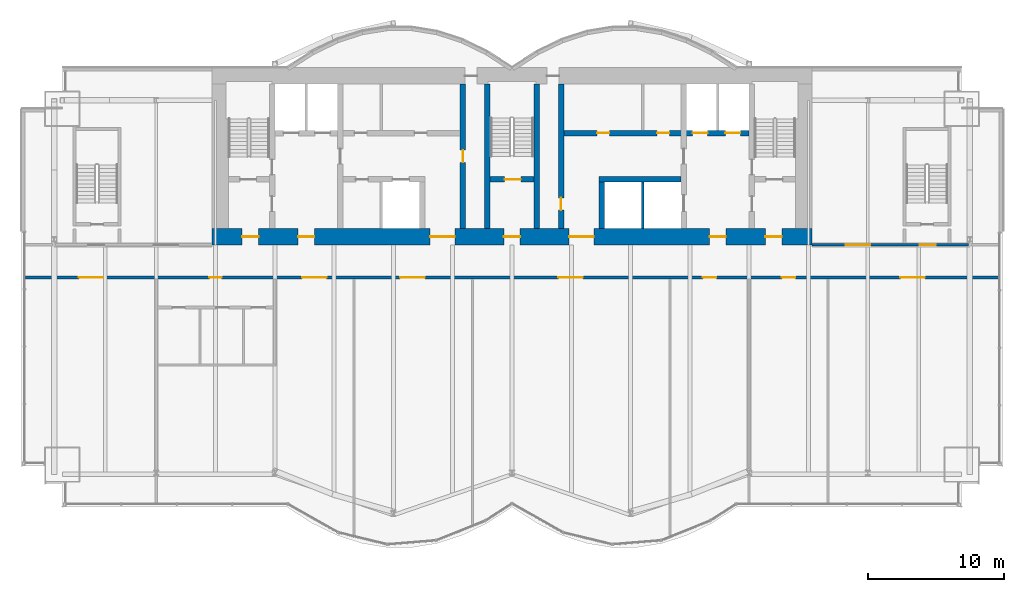
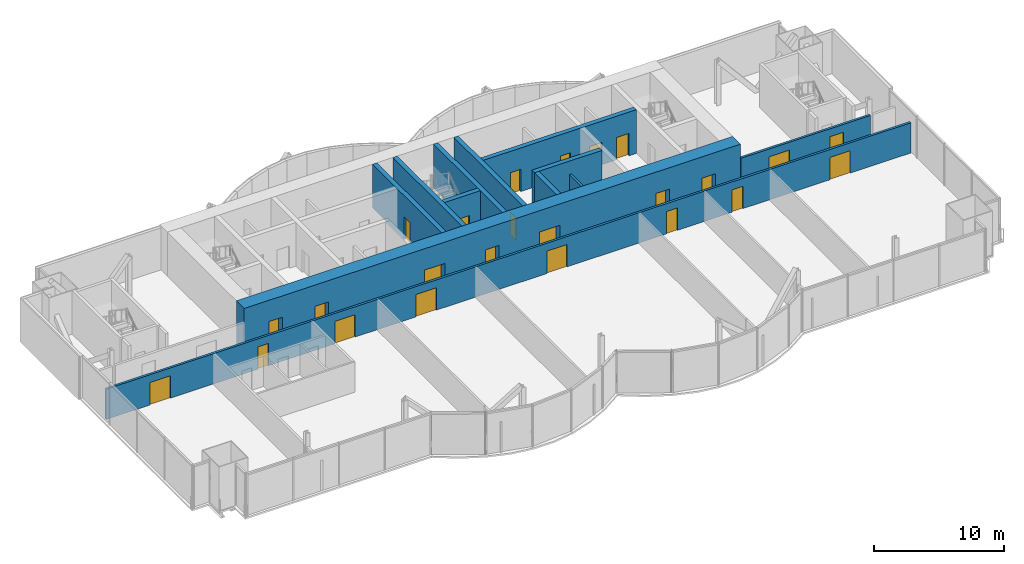
# One storey, part 15 of 20: 24 doors, 12 walls, 24 openings.
"""IFC4 building model written with IfcOpenShell, lengths in metres."""

from ifc_helpers import new_model, si_unit, direction, frame, frame_2d, origin, place, context, subcontext, project, spatial, rectangle, extrude, material, layer, layer_set, type_object, element, fill, save


model = new_model("IFC4")

# Units and contexts
model_context = context("Model", 3, precision=1e-05, world=origin(), true_north=direction((0.0, 1.0)))
body_context = subcontext(model_context, "Body", "Model", "MODEL_VIEW")
ifc_project = project(units=[si_unit("LENGTHUNIT", "METRE"), si_unit("AREAUNIT", "SQUARE_METRE"), si_unit("VOLUMEUNIT", "CUBIC_METRE"), si_unit("PLANEANGLEUNIT", "RADIAN"), si_unit("MASSUNIT", "GRAM", prefix="KILO")], contexts=[model_context])

# Site, building, storey
site_placement = place(None, origin())
site = spatial("IfcSite", under=ifc_project, at=site_placement, CompositionType="ELEMENT")
building_placement = place(site_placement, origin())
building = spatial("IfcBuilding", under=site, at=building_placement, Name="Bicima Exchange Tower", CompositionType="ELEMENT")
storey_placement = place(building_placement, frame((0.0, 0.0, 207.300048828125)))
storey = spatial("IfcBuildingStorey", under=building, at=storey_placement, Name="L46", CompositionType="ELEMENT", Elevation=207.300048828125)

# Wall
ifc_material_1 = material(Name="Gypsum board partition")
ifc_layer_1 = layer(ifc_material_1, 0.199951171875)
ifc_layer_set_1 = layer_set([ifc_layer_1], Name="Gypsum board partition")
wall_type_1 = type_object("IfcWallType", Name="Fire-rated gypsum partition 200 EI120", PredefinedType="PARTITIONING", material=ifc_layer_set_1)
wall_1_placement = place(storey_placement, frame((9.60009765625, -11.800048828125, 0.0), z_axis=(0.0, 0.0, 1.0), x_axis=(0.0, 1.0, 0.0)))
element("IfcWall", 1, at=wall_1_placement, inside=storey, type_object=wall_type_1, Name="partition wall 19", PredefinedType="PARTITIONING", context=body_context, shape_type="SweptSolid", body=[
    extrude(rectangle(XDim=3.400146484375, YDim=0.199951171875, at=frame_2d((1.7001953125, 0.0))), origin(), (0.0, 0.0, 1.0), 2.84033203125),
])

# Wall, openings, doors
ifc_layer_2 = layer(ifc_material_1, 0.199951171875)
ifc_layer_set_2 = layer_set([ifc_layer_2], Name="Gypsum board partition")
wall_type_2 = type_object("IfcWallType", Name="Fire-rated gypsum partition 200 EI60", PredefinedType="PARTITIONING", material=ifc_layer_set_2)
wall_2_placement = place(storey_placement, frame((-35.679931640625, -15.39990234375, 0.0), z_axis=(0.0, 0.0, 1.0), x_axis=(1.0, 0.0, 0.0)))
wall_2 = element("IfcWall", 2, at=wall_2_placement, inside=storey, type_object=wall_type_2, Name="partition wall 3", PredefinedType="PARTITIONING", context=body_context, shape_type="SweptSolid", body=[
    extrude(rectangle(XDim=71.35986328125, YDim=0.199951171875, at=frame_2d((35.679931640625, 0.0))), origin(), (0.0, 0.0, 1.0), 2.84033203125),
])
opening_1_placement = place(wall_2_placement, frame((3.89990234375, 0.0, 0.0)))
opening_1 = element("IfcOpeningElement", 3, at=opening_1_placement, cuts=wall_2, Name="Opening L46-007", PredefinedType="OPENING", context=body_context, shape_type="SweptSolid", body=[
    extrude(rectangle(XDim=1.800048828125, YDim=2.10009765625, at=frame_2d((0.89990234375, 1.050048828125))), frame((0.0, 0.11181640625, 0.0), z_axis=(0.0, -1.0, 0.0), x_axis=(1.0, 0.0, 0.0)), (0.0, 0.0, 1.0), 0.223876953125),
])
opening_2_placement = place(wall_2_placement, frame((13.47998046875, 0.0, 0.0)))
opening_2 = element("IfcOpeningElement", 4, at=opening_2_placement, cuts=wall_2, Name="Opening L46-008", PredefinedType="OPENING", context=body_context, shape_type="SweptSolid", body=[
    extrude(rectangle(XDim=0.89990234375, YDim=2.10009765625, at=frame_2d((0.449951171875, 1.050048828125))), frame((0.0, 0.11181640625, 0.0), z_axis=(0.0, -1.0, 0.0), x_axis=(1.0, 0.0, 0.0)), (0.0, 0.0, 1.0), 0.223876953125),
])
opening_3_placement = place(wall_2_placement, frame((20.280029296875, 0.0, 0.0)))
opening_3 = element("IfcOpeningElement", 5, at=opening_3_placement, cuts=wall_2, Name="Opening L46-012", PredefinedType="OPENING", context=body_context, shape_type="SweptSolid", body=[
    extrude(rectangle(XDim=1.800048828125, YDim=2.10009765625, at=frame_2d((0.89990234375, 1.050048828125))), frame((0.0, 0.11181640625, 0.0), z_axis=(0.0, -1.0, 0.0), x_axis=(1.0, 0.0, 0.0)), (0.0, 0.0, 1.0), 0.223876953125),
])
opening_4_placement = place(wall_2_placement, frame((27.47998046875, 0.0, 0.0)))
opening_4 = element("IfcOpeningElement", 6, at=opening_4_placement, cuts=wall_2, Name="Opening L46-013", PredefinedType="OPENING", context=body_context, shape_type="SweptSolid", body=[
    extrude(rectangle(XDim=1.800048828125, YDim=2.10009765625, at=frame_2d((0.89990234375, 1.050048828125))), frame((0.0, 0.11181640625, 0.0), z_axis=(0.0, -1.0, 0.0), x_axis=(1.0, 0.0, 0.0)), (0.0, 0.0, 1.0), 0.223876953125),
])
opening_5_placement = place(wall_2_placement, frame((39.080078125, 0.0, 0.0)))
opening_5 = element("IfcOpeningElement", 7, at=opening_5_placement, cuts=wall_2, Name="Opening L46-014", PredefinedType="OPENING", context=body_context, shape_type="SweptSolid", body=[
    extrude(rectangle(XDim=1.800048828125, YDim=2.10009765625, at=frame_2d((0.89990234375, 1.050048828125))), frame((0.0, 0.11181640625, 0.0), z_axis=(0.0, -1.0, 0.0), x_axis=(1.0, 0.0, 0.0)), (0.0, 0.0, 1.0), 0.223876953125),
])
opening_6_placement = place(wall_2_placement, frame((49.679931640625, 0.0, 0.0)))
opening_6 = element("IfcOpeningElement", 8, at=opening_6_placement, cuts=wall_2, Name="Opening L46-015", PredefinedType="OPENING", context=body_context, shape_type="SweptSolid", body=[
    extrude(rectangle(XDim=1.0, YDim=2.10009765625, at=frame_2d((0.5, 1.050048828125))), frame((0.0, 0.11181640625, 0.0), z_axis=(0.0, -1.0, 0.0), x_axis=(1.0, 0.0, 0.0)), (0.0, 0.0, 1.0), 0.223876953125),
])
opening_7_placement = place(wall_2_placement, frame((55.47998046875, 0.0, 0.0)))
opening_7 = element("IfcOpeningElement", 9, at=opening_7_placement, cuts=wall_2, Name="Opening L46-016", PredefinedType="OPENING", context=body_context, shape_type="SweptSolid", body=[
    extrude(rectangle(XDim=1.0, YDim=2.10009765625, at=frame_2d((0.5, 1.050048828125))), frame((0.0, 0.11181640625, 0.0), z_axis=(0.0, -1.0, 0.0), x_axis=(1.0, 0.0, 0.0)), (0.0, 0.0, 1.0), 0.223876953125),
])
opening_8_placement = place(wall_2_placement, frame((64.179931640625, 0.0, 0.0)))
opening_8 = element("IfcOpeningElement", 10, at=opening_8_placement, cuts=wall_2, Name="Opening L46-017", PredefinedType="OPENING", context=body_context, shape_type="SweptSolid", body=[
    extrude(rectangle(XDim=1.800048828125, YDim=2.10009765625, at=frame_2d((0.89990234375, 1.050048828125))), frame((0.0, 0.11181640625, 0.0), z_axis=(0.0, -1.0, 0.0), x_axis=(1.0, 0.0, 0.0)), (0.0, 0.0, 1.0), 0.223876953125),
])
ifc_material_2 = material(Name="Steel fire door leaf", Category="steel")
door_type_1 = type_object("IfcDoorType", Name="Door 1000 swing FD30S", OperationType="SINGLE_SWING_LEFT", PredefinedType="DOOR", material=ifc_material_2)
door_1_placement = place(opening_6_placement, frame((1.0, 0.0, 0.0), z_axis=(0.0, 0.0, 1.0), x_axis=(-1.0, 0.0, 0.0)))
door_1 = element("IfcDoor", 11, at=door_1_placement, inside=storey, type_object=door_type_1, Name="Door", OperationType="SINGLE_SWING_RIGHT", OverallHeight=2.10009765625, OverallWidth=1.0, PredefinedType="DOOR", context=body_context, shape_type="SweptSolid", body=[
    extrude(rectangle(XDim=1.0, YDim=2.10009765625, at=frame_2d((0.5, 1.050048828125))), frame((0.0, 0.02490234375, 0.0), z_axis=(0.0, -1.0, 0.0), x_axis=(1.0, 0.0, 0.0)), (0.0, 0.0, 1.0), 0.050048828125),
])
fill(opening_6, door_1)
door_2_placement = place(opening_7_placement, frame((1.0, 0.0, 0.0), z_axis=(0.0, 0.0, 1.0), x_axis=(-1.0, 0.0, 0.0)))
door_2 = element("IfcDoor", 12, at=door_2_placement, inside=storey, type_object=door_type_1, Name="Door", OperationType="SINGLE_SWING_LEFT", OverallHeight=2.10009765625, OverallWidth=1.0, PredefinedType="DOOR", context=body_context, shape_type="SweptSolid", body=[
    extrude(rectangle(XDim=1.0, YDim=2.10009765625, at=frame_2d((0.5, 1.050048828125))), frame((0.0, 0.02490234375, 0.0), z_axis=(0.0, -1.0, 0.0), x_axis=(1.0, 0.0, 0.0)), (0.0, 0.0, 1.0), 0.050048828125),
])
fill(opening_7, door_2)
door_type_2 = type_object("IfcDoorType", Name="Door 1800 double swing FD30S", OperationType="DOUBLE_DOOR_SINGLE_SWING", PredefinedType="DOOR", material=ifc_material_2)
door_3_placement = place(opening_1_placement, origin())
door_3 = element("IfcDoor", 13, at=door_3_placement, inside=storey, type_object=door_type_2, Name="Door", OperationType="SINGLE_SWING_LEFT", OverallHeight=2.10009765625, OverallWidth=1.800048828125, PredefinedType="DOOR", context=body_context, shape_type="SweptSolid", body=[
    extrude(rectangle(XDim=1.800048828125, YDim=2.10009765625, at=frame_2d((0.89990234375, 1.050048828125))), frame((0.0, 0.02490234375, 0.0), z_axis=(0.0, -1.0, 0.0), x_axis=(1.0, 0.0, 0.0)), (0.0, 0.0, 1.0), 0.050048828125),
])
fill(opening_1, door_3)
door_4_placement = place(opening_3_placement, origin())
door_4 = element("IfcDoor", 14, at=door_4_placement, inside=storey, type_object=door_type_2, Name="Door", OperationType="SINGLE_SWING_LEFT", OverallHeight=2.10009765625, OverallWidth=1.800048828125, PredefinedType="DOOR", context=body_context, shape_type="SweptSolid", body=[
    extrude(rectangle(XDim=1.800048828125, YDim=2.10009765625, at=frame_2d((0.89990234375, 1.050048828125))), frame((0.0, 0.02490234375, 0.0), z_axis=(0.0, -1.0, 0.0), x_axis=(1.0, 0.0, 0.0)), (0.0, 0.0, 1.0), 0.050048828125),
])
fill(opening_3, door_4)
door_5_placement = place(opening_4_placement, origin())
door_5 = element("IfcDoor", 15, at=door_5_placement, inside=storey, type_object=door_type_2, Name="Door", OperationType="SINGLE_SWING_LEFT", OverallHeight=2.10009765625, OverallWidth=1.800048828125, PredefinedType="DOOR", context=body_context, shape_type="SweptSolid", body=[
    extrude(rectangle(XDim=1.800048828125, YDim=2.10009765625, at=frame_2d((0.89990234375, 1.050048828125))), frame((0.0, 0.02490234375, 0.0), z_axis=(0.0, -1.0, 0.0), x_axis=(1.0, 0.0, 0.0)), (0.0, 0.0, 1.0), 0.050048828125),
])
fill(opening_4, door_5)
door_6_placement = place(opening_5_placement, origin())
door_6 = element("IfcDoor", 16, at=door_6_placement, inside=storey, type_object=door_type_2, Name="Door", OperationType="SINGLE_SWING_LEFT", OverallHeight=2.10009765625, OverallWidth=1.800048828125, PredefinedType="DOOR", context=body_context, shape_type="SweptSolid", body=[
    extrude(rectangle(XDim=1.800048828125, YDim=2.10009765625, at=frame_2d((0.89990234375, 1.050048828125))), frame((0.0, 0.02490234375, 0.0), z_axis=(0.0, -1.0, 0.0), x_axis=(1.0, 0.0, 0.0)), (0.0, 0.0, 1.0), 0.050048828125),
])
fill(opening_5, door_6)
door_7_placement = place(opening_8_placement, origin())
door_7 = element("IfcDoor", 17, at=door_7_placement, inside=storey, type_object=door_type_2, Name="Door", OperationType="SINGLE_SWING_LEFT", OverallHeight=2.10009765625, OverallWidth=1.800048828125, PredefinedType="DOOR", context=body_context, shape_type="SweptSolid", body=[
    extrude(rectangle(XDim=1.800048828125, YDim=2.10009765625, at=frame_2d((0.89990234375, 1.050048828125))), frame((0.0, 0.02490234375, 0.0), z_axis=(0.0, -1.0, 0.0), x_axis=(1.0, 0.0, 0.0)), (0.0, 0.0, 1.0), 0.050048828125),
])
fill(opening_8, door_7)
door_type_3 = type_object("IfcDoorType", Name="Door 900 swing FD30S", OperationType="SINGLE_SWING_LEFT", PredefinedType="DOOR", material=ifc_material_2)
door_8_placement = place(opening_2_placement, frame((0.89990234375, 0.0, 0.0), z_axis=(0.0, 0.0, 1.0), x_axis=(-1.0, 0.0, 0.0)))
door_8 = element("IfcDoor", 18, at=door_8_placement, inside=storey, type_object=door_type_3, Name="Door", OperationType="SINGLE_SWING_RIGHT", OverallHeight=2.10009765625, OverallWidth=0.89990234375, PredefinedType="DOOR", context=body_context, shape_type="SweptSolid", body=[
    extrude(rectangle(XDim=0.89990234375, YDim=2.10009765625, at=frame_2d((0.449951171875, 1.050048828125))), frame((0.0, 0.02490234375, 0.0), z_axis=(0.0, -1.0, 0.0), x_axis=(1.0, 0.0, 0.0)), (0.0, 0.0, 1.0), 0.050048828125),
])
fill(opening_2, door_8)

wall_3_placement = place(storey_placement, frame((22.0, -13.0, 0.0), z_axis=(0.0, 0.0, 1.0), x_axis=(1.0, 0.0, 0.0)))
wall_3 = element("IfcWall", 19, at=wall_3_placement, inside=storey, type_object=wall_type_2, Name="partition wall 6", PredefinedType="PARTITIONING", context=body_context, shape_type="SweptSolid", body=[
    extrude(rectangle(XDim=11.47998046875, YDim=0.199951171875, at=frame_2d((5.739990234375, 0.0))), origin(), (0.0, 0.0, 1.0), 2.84033203125),
])
opening_9_placement = place(wall_3_placement, frame((7.89990234375, 0.0, 0.0)))
opening_9 = element("IfcOpeningElement", 20, at=opening_9_placement, cuts=wall_3, Name="Opening L46-003", PredefinedType="OPENING", context=body_context, shape_type="SweptSolid", body=[
    extrude(rectangle(XDim=1.199951171875, YDim=2.10009765625, at=frame_2d((0.60009765625, 1.050048828125))), frame((0.0, 0.11181640625, 0.0), z_axis=(0.0, -1.0, 0.0), x_axis=(1.0, 0.0, 0.0)), (0.0, 0.0, 1.0), 0.223876953125),
])
opening_10_placement = place(wall_3_placement, frame((2.5, 0.0, 0.0)))
opening_10 = element("IfcOpeningElement", 21, at=opening_10_placement, cuts=wall_3, Name="Opening L46-006", PredefinedType="OPENING", context=body_context, shape_type="SweptSolid", body=[
    extrude(rectangle(XDim=1.800048828125, YDim=2.10009765625, at=frame_2d((0.89990234375, 1.050048828125))), frame((0.0, 0.11181640625, 0.0), z_axis=(0.0, -1.0, 0.0), x_axis=(1.0, 0.0, 0.0)), (0.0, 0.0, 1.0), 0.223876953125),
])
door_type_4 = type_object("IfcDoorType", Name="Door 1200 swing FD30S", OperationType="SINGLE_SWING_LEFT", PredefinedType="DOOR", material=ifc_material_2)
door_9_placement = place(opening_9_placement, origin())
door_9 = element("IfcDoor", 22, at=door_9_placement, inside=storey, type_object=door_type_4, Name="Door", OperationType="SINGLE_SWING_RIGHT", OverallHeight=2.10009765625, OverallWidth=1.199951171875, PredefinedType="DOOR", context=body_context, shape_type="SweptSolid", body=[
    extrude(rectangle(XDim=1.199951171875, YDim=2.10009765625, at=frame_2d((0.60009765625, 1.050048828125))), frame((0.0, 0.02490234375, 0.0), z_axis=(0.0, -1.0, 0.0), x_axis=(1.0, 0.0, 0.0)), (0.0, 0.0, 1.0), 0.050048828125),
])
fill(opening_9, door_9)
door_10_placement = place(opening_10_placement, origin())
door_10 = element("IfcDoor", 23, at=door_10_placement, inside=storey, type_object=door_type_2, Name="Door", OperationType="SINGLE_SWING_LEFT", OverallHeight=2.10009765625, OverallWidth=1.800048828125, PredefinedType="DOOR", context=body_context, shape_type="SweptSolid", body=[
    extrude(rectangle(XDim=1.800048828125, YDim=2.10009765625, at=frame_2d((0.89990234375, 1.050048828125))), frame((0.0, 0.02490234375, 0.0), z_axis=(0.0, -1.0, 0.0), x_axis=(1.0, 0.0, 0.0)), (0.0, 0.0, 1.0), 0.050048828125),
])
fill(opening_10, door_10)

ifc_material_3 = material(Name="Concrete C50/60", Category="concrete")
ifc_layer_3 = layer(ifc_material_3, 1.199951171875)
ifc_layer_set_3 = layer_set([ifc_layer_3], Name="Concrete C50/60")
wall_type_3 = type_object("IfcWallType", Name="RC core wall 1200 C50/60", PredefinedType="SHEAR", material=ifc_layer_set_3)
wall_4_placement = place(storey_placement, frame((-22.0, -12.39990234375, 0.0), z_axis=(0.0, 0.0, 1.0), x_axis=(1.0, 0.0, 0.0)))
wall_4 = element("IfcWall", 24, at=wall_4_placement, inside=storey, type_object=wall_type_3, Name="Core wall south", PredefinedType="SHEAR", context=body_context, shape_type="SweptSolid", body=[
    extrude(rectangle(XDim=44.0, YDim=1.199951171875, at=frame_2d((22.0, 0.0))), origin(), (0.0, 0.0, 1.0), 4.099853515625),
])
opening_11_placement = place(wall_4_placement, frame((2.199951171875, 0.0, 0.0)))
opening_11 = element("IfcOpeningElement", 25, at=opening_11_placement, cuts=wall_4, Name="Opening L46-C19", PredefinedType="OPENING", context=body_context, shape_type="SweptSolid", body=[
    extrude(rectangle(XDim=1.199951171875, YDim=2.10009765625, at=frame_2d((0.60009765625, 1.050048828125))), frame((0.0, 0.61181640625, 0.0), z_axis=(0.0, -1.0, 0.0), x_axis=(1.0, 0.0, 0.0)), (0.0, 0.0, 1.0), 1.223876953125),
])
opening_12_placement = place(wall_4_placement, frame((21.39990234375, 0.0, 0.0)))
opening_12 = element("IfcOpeningElement", 26, at=opening_12_placement, cuts=wall_4, Name="Opening L46-C20", PredefinedType="OPENING", context=body_context, shape_type="SweptSolid", body=[
    extrude(rectangle(XDim=1.199951171875, YDim=2.10009765625, at=frame_2d((0.60009765625, 1.050048828125))), frame((0.0, 0.61181640625, 0.0), z_axis=(0.0, -1.0, 0.0), x_axis=(1.0, 0.0, 0.0)), (0.0, 0.0, 1.0), 1.223876953125),
])
opening_13_placement = place(wall_4_placement, frame((40.60009765625, 0.0, 0.0)))
opening_13 = element("IfcOpeningElement", 27, at=opening_13_placement, cuts=wall_4, Name="Opening L46-C21", PredefinedType="OPENING", context=body_context, shape_type="SweptSolid", body=[
    extrude(rectangle(XDim=1.199951171875, YDim=2.10009765625, at=frame_2d((0.60009765625, 1.050048828125))), frame((0.0, 0.61181640625, 0.0), z_axis=(0.0, -1.0, 0.0), x_axis=(1.0, 0.0, 0.0)), (0.0, 0.0, 1.0), 1.223876953125),
])
opening_14_placement = place(wall_4_placement, frame((16.0, 0.0, 0.0)))
opening_14 = element("IfcOpeningElement", 28, at=opening_14_placement, cuts=wall_4, Name="Opening L46-C22", PredefinedType="OPENING", context=body_context, shape_type="SweptSolid", body=[
    extrude(rectangle(XDim=1.800048828125, YDim=2.10009765625, at=frame_2d((0.89990234375, 1.050048828125))), frame((0.0, 0.61181640625, 0.0), z_axis=(0.0, -1.0, 0.0), x_axis=(1.0, 0.0, 0.0)), (0.0, 0.0, 1.0), 1.223876953125),
])
opening_15_placement = place(wall_4_placement, frame((6.300048828125, 0.0, 0.0)))
opening_15 = element("IfcOpeningElement", 29, at=opening_15_placement, cuts=wall_4, Name="Opening L46-C23", PredefinedType="OPENING", context=body_context, shape_type="SweptSolid", body=[
    extrude(rectangle(XDim=1.199951171875, YDim=2.10009765625, at=frame_2d((0.60009765625, 1.050048828125))), frame((0.0, 0.61181640625, 0.0), z_axis=(0.0, -1.0, 0.0), x_axis=(1.0, 0.0, 0.0)), (0.0, 0.0, 1.0), 1.223876953125),
])
opening_16_placement = place(wall_4_placement, frame((26.199951171875, 0.0, 0.0)))
opening_16 = element("IfcOpeningElement", 30, at=opening_16_placement, cuts=wall_4, Name="Opening L46-C24", PredefinedType="OPENING", context=body_context, shape_type="SweptSolid", body=[
    extrude(rectangle(XDim=1.800048828125, YDim=2.10009765625, at=frame_2d((0.89990234375, 1.050048828125))), frame((0.0, 0.61181640625, 0.0), z_axis=(0.0, -1.0, 0.0), x_axis=(1.0, 0.0, 0.0)), (0.0, 0.0, 1.0), 1.223876953125),
])
opening_17_placement = place(wall_4_placement, frame((36.5, 0.0, 0.0)))
opening_17 = element("IfcOpeningElement", 31, at=opening_17_placement, cuts=wall_4, Name="Opening L46-C25", PredefinedType="OPENING", context=body_context, shape_type="SweptSolid", body=[
    extrude(rectangle(XDim=1.199951171875, YDim=2.10009765625, at=frame_2d((0.60009765625, 1.050048828125))), frame((0.0, 0.61181640625, 0.0), z_axis=(0.0, -1.0, 0.0), x_axis=(1.0, 0.0, 0.0)), (0.0, 0.0, 1.0), 1.223876953125),
])
door_type_5 = type_object("IfcDoorType", Name="Door 1200 swing FD60S", OperationType="SINGLE_SWING_LEFT", PredefinedType="DOOR", material=ifc_material_2)
door_11_placement = place(opening_11_placement, frame((1.199951171875, 0.0, 0.0), z_axis=(0.0, 0.0, 1.0), x_axis=(-1.0, 0.0, 0.0)))
door_11 = element("IfcDoor", 32, at=door_11_placement, inside=storey, type_object=door_type_5, Name="Core door", OperationType="SINGLE_SWING_RIGHT", OverallHeight=2.10009765625, OverallWidth=1.199951171875, PredefinedType="DOOR", context=body_context, shape_type="SweptSolid", body=[
    extrude(rectangle(XDim=1.199951171875, YDim=2.10009765625, at=frame_2d((0.60009765625, 1.050048828125))), frame((0.0, 0.02490234375, 0.0), z_axis=(0.0, -1.0, 0.0), x_axis=(1.0, 0.0, 0.0)), (0.0, 0.0, 1.0), 0.050048828125),
])
fill(opening_11, door_11)
door_12_placement = place(opening_12_placement, frame((1.199951171875, 0.0, 0.0), z_axis=(0.0, 0.0, 1.0), x_axis=(-1.0, 0.0, 0.0)))
door_12 = element("IfcDoor", 33, at=door_12_placement, inside=storey, type_object=door_type_5, Name="Core door", OperationType="SINGLE_SWING_RIGHT", OverallHeight=2.10009765625, OverallWidth=1.199951171875, PredefinedType="DOOR", context=body_context, shape_type="SweptSolid", body=[
    extrude(rectangle(XDim=1.199951171875, YDim=2.10009765625, at=frame_2d((0.60009765625, 1.050048828125))), frame((0.0, 0.02490234375, 0.0), z_axis=(0.0, -1.0, 0.0), x_axis=(1.0, 0.0, 0.0)), (0.0, 0.0, 1.0), 0.050048828125),
])
fill(opening_12, door_12)
door_13_placement = place(opening_13_placement, frame((1.199951171875, 0.0, 0.0), z_axis=(0.0, 0.0, 1.0), x_axis=(-1.0, 0.0, 0.0)))
door_13 = element("IfcDoor", 34, at=door_13_placement, inside=storey, type_object=door_type_5, Name="Core door", OperationType="SINGLE_SWING_RIGHT", OverallHeight=2.10009765625, OverallWidth=1.199951171875, PredefinedType="DOOR", context=body_context, shape_type="SweptSolid", body=[
    extrude(rectangle(XDim=1.199951171875, YDim=2.10009765625, at=frame_2d((0.60009765625, 1.050048828125))), frame((0.0, 0.02490234375, 0.0), z_axis=(0.0, -1.0, 0.0), x_axis=(1.0, 0.0, 0.0)), (0.0, 0.0, 1.0), 0.050048828125),
])
fill(opening_13, door_13)
door_14_placement = place(opening_15_placement, frame((1.199951171875, 0.0, 0.0), z_axis=(0.0, 0.0, 1.0), x_axis=(-1.0, 0.0, 0.0)))
door_14 = element("IfcDoor", 35, at=door_14_placement, inside=storey, type_object=door_type_5, Name="Core door", OperationType="SINGLE_SWING_RIGHT", OverallHeight=2.10009765625, OverallWidth=1.199951171875, PredefinedType="DOOR", context=body_context, shape_type="SweptSolid", body=[
    extrude(rectangle(XDim=1.199951171875, YDim=2.10009765625, at=frame_2d((0.60009765625, 1.050048828125))), frame((0.0, 0.02490234375, 0.0), z_axis=(0.0, -1.0, 0.0), x_axis=(1.0, 0.0, 0.0)), (0.0, 0.0, 1.0), 0.050048828125),
])
fill(opening_15, door_14)
door_15_placement = place(opening_17_placement, frame((1.199951171875, 0.0, 0.0), z_axis=(0.0, 0.0, 1.0), x_axis=(-1.0, 0.0, 0.0)))
door_15 = element("IfcDoor", 36, at=door_15_placement, inside=storey, type_object=door_type_5, Name="Core door", OperationType="SINGLE_SWING_RIGHT", OverallHeight=2.10009765625, OverallWidth=1.199951171875, PredefinedType="DOOR", context=body_context, shape_type="SweptSolid", body=[
    extrude(rectangle(XDim=1.199951171875, YDim=2.10009765625, at=frame_2d((0.60009765625, 1.050048828125))), frame((0.0, 0.02490234375, 0.0), z_axis=(0.0, -1.0, 0.0), x_axis=(1.0, 0.0, 0.0)), (0.0, 0.0, 1.0), 0.050048828125),
])
fill(opening_17, door_15)
door_16_placement = place(opening_14_placement, origin())
door_16 = element("IfcDoor", 37, at=door_16_placement, inside=storey, type_object=door_type_2, Name="Core door", OperationType="SINGLE_SWING_LEFT", OverallHeight=2.10009765625, OverallWidth=1.800048828125, PredefinedType="DOOR", context=body_context, shape_type="SweptSolid", body=[
    extrude(rectangle(XDim=1.800048828125, YDim=2.10009765625, at=frame_2d((0.89990234375, 1.050048828125))), frame((0.0, 0.02490234375, 0.0), z_axis=(0.0, -1.0, 0.0), x_axis=(1.0, 0.0, 0.0)), (0.0, 0.0, 1.0), 0.050048828125),
])
fill(opening_14, door_16)
door_17_placement = place(opening_16_placement, origin())
door_17 = element("IfcDoor", 38, at=door_17_placement, inside=storey, type_object=door_type_2, Name="Core door", OperationType="SINGLE_SWING_LEFT", OverallHeight=2.10009765625, OverallWidth=1.800048828125, PredefinedType="DOOR", context=body_context, shape_type="SweptSolid", body=[
    extrude(rectangle(XDim=1.800048828125, YDim=2.10009765625, at=frame_2d((0.89990234375, 1.050048828125))), frame((0.0, 0.02490234375, 0.0), z_axis=(0.0, -1.0, 0.0), x_axis=(1.0, 0.0, 0.0)), (0.0, 0.0, 1.0), 0.050048828125),
])
fill(opening_16, door_17)

# Wall, opening, door
ifc_layer_4 = layer(ifc_material_3, 0.39990234375)
ifc_layer_set_4 = layer_set([ifc_layer_4], Name="Concrete C50/60")
wall_type_4 = type_object("IfcWallType", Name="RC core wall 400 C50/60", PredefinedType="SHEAR", material=ifc_layer_set_4)
wall_5_placement = place(storey_placement, frame((-1.60009765625, -8.199951171875, 0.0), z_axis=(0.0, 0.0, 1.0), x_axis=(1.0, 0.0, 0.0)))
wall_5 = element("IfcWall", 39, at=wall_5_placement, inside=storey, type_object=wall_type_4, Name="stair wall 3", PredefinedType="SHEAR", context=body_context, shape_type="SweptSolid", body=[
    extrude(rectangle(XDim=3.2001953125, YDim=0.39990234375, at=frame_2d((1.60009765625, 0.0))), origin(), (0.0, 0.0, 1.0), 4.099853515625),
])
opening_18_placement = place(wall_5_placement, frame((1.050048828125, 0.0, 0.0)))
opening_18 = element("IfcOpeningElement", 40, at=opening_18_placement, cuts=wall_5, Name="Opening L46-C03", PredefinedType="OPENING", context=body_context, shape_type="SweptSolid", body=[
    extrude(rectangle(XDim=1.199951171875, YDim=2.10009765625, at=frame_2d((0.60009765625, 1.050048828125))), frame((0.0, 0.2119140625, 0.0), z_axis=(0.0, -1.0, 0.0), x_axis=(1.0, 0.0, 0.0)), (0.0, 0.0, 1.0), 0.423828125),
])
door_18_placement = place(opening_18_placement, origin())
door_18 = element("IfcDoor", 41, at=door_18_placement, inside=storey, type_object=door_type_5, Name="Core door", OperationType="SINGLE_SWING_LEFT", OverallHeight=2.10009765625, OverallWidth=1.199951171875, PredefinedType="DOOR", context=body_context, shape_type="SweptSolid", body=[
    extrude(rectangle(XDim=1.199951171875, YDim=2.10009765625, at=frame_2d((0.60009765625, 1.050048828125))), frame((0.0, 0.02490234375, 0.0), z_axis=(0.0, -1.0, 0.0), x_axis=(1.0, 0.0, 0.0)), (0.0, 0.0, 1.0), 0.050048828125),
])
fill(opening_18, door_18)

# Wall
wall_6_placement = place(storey_placement, frame((6.39990234375, -8.199951171875, 0.0), z_axis=(0.0, 0.0, 1.0), x_axis=(1.0, 0.0, 0.0)))
element("IfcWall", 42, at=wall_6_placement, inside=storey, type_object=wall_type_4, Name="shear wall 4", PredefinedType="SHEAR", context=body_context, shape_type="SweptSolid", body=[
    extrude(rectangle(XDim=6.0, YDim=0.39990234375, at=frame_2d((3.0, 0.0))), origin(), (0.0, 0.0, 1.0), 4.099853515625),
])

# Wall, openings, doors
wall_7_placement = place(storey_placement, frame((3.800048828125, -4.800048828125, 0.0), z_axis=(0.0, 0.0, 1.0), x_axis=(1.0, 0.0, 0.0)))
wall_7 = element("IfcWall", 43, at=wall_7_placement, inside=storey, type_object=wall_type_4, Name="shear wall 7", PredefinedType="SHEAR", context=body_context, shape_type="SweptSolid", body=[
    extrude(rectangle(XDim=13.599853515625, YDim=0.39990234375, at=frame_2d((6.7998046875, 0.0))), origin(), (0.0, 0.0, 1.0), 4.099853515625),
])
opening_19_placement = place(wall_7_placement, frame((9.449951171875, 0.0, 0.0)))
opening_19 = element("IfcOpeningElement", 44, at=opening_19_placement, cuts=wall_7, Name="Opening LD-FF2-L46", PredefinedType="OPENING", context=body_context, shape_type="SweptSolid", body=[
    extrude(rectangle(XDim=1.10009765625, YDim=2.10009765625, at=frame_2d((0.550048828125, 1.050048828125))), frame((0.0, 0.2119140625, 0.0), z_axis=(0.0, -1.0, 0.0), x_axis=(1.0, 0.0, 0.0)), (0.0, 0.0, 1.0), 0.423828125),
])
opening_20_placement = place(wall_7_placement, frame((11.85009765625, 0.0, 0.0)))
opening_20 = element("IfcOpeningElement", 45, at=opening_20_placement, cuts=wall_7, Name="Opening LD-SV1-L46", PredefinedType="OPENING", context=body_context, shape_type="SweptSolid", body=[
    extrude(rectangle(XDim=1.10009765625, YDim=2.10009765625, at=frame_2d((0.550048828125, 1.050048828125))), frame((0.0, 0.2119140625, 0.0), z_axis=(0.0, -1.0, 0.0), x_axis=(1.0, 0.0, 0.0)), (0.0, 0.0, 1.0), 0.423828125),
])
opening_21_placement = place(wall_7_placement, frame((2.449951171875, 0.0, 0.0)))
opening_21 = element("IfcOpeningElement", 46, at=opening_21_placement, cuts=wall_7, Name="Opening L46-C14", PredefinedType="OPENING", context=body_context, shape_type="SweptSolid", body=[
    extrude(rectangle(XDim=0.89990234375, YDim=2.10009765625, at=frame_2d((0.449951171875, 1.050048828125))), frame((0.0, 0.2119140625, 0.0), z_axis=(0.0, -1.0, 0.0), x_axis=(1.0, 0.0, 0.0)), (0.0, 0.0, 1.0), 0.423828125),
])
opening_22_placement = place(wall_7_placement, frame((6.85009765625, 0.0, 0.0)))
opening_22 = element("IfcOpeningElement", 47, at=opening_22_placement, cuts=wall_7, Name="Opening L46-C15", PredefinedType="OPENING", context=body_context, shape_type="SweptSolid", body=[
    extrude(rectangle(XDim=0.89990234375, YDim=2.10009765625, at=frame_2d((0.449951171875, 1.050048828125))), frame((0.0, 0.2119140625, 0.0), z_axis=(0.0, -1.0, 0.0), x_axis=(1.0, 0.0, 0.0)), (0.0, 0.0, 1.0), 0.423828125),
])
door_19_placement = place(opening_21_placement, origin())
door_19 = element("IfcDoor", 48, at=door_19_placement, inside=storey, type_object=door_type_3, Name="Core door", OperationType="SINGLE_SWING_RIGHT", OverallHeight=2.10009765625, OverallWidth=0.89990234375, PredefinedType="DOOR", context=body_context, shape_type="SweptSolid", body=[
    extrude(rectangle(XDim=0.89990234375, YDim=2.10009765625, at=frame_2d((0.449951171875, 1.050048828125))), frame((0.0, 0.02490234375, 0.0), z_axis=(0.0, -1.0, 0.0), x_axis=(1.0, 0.0, 0.0)), (0.0, 0.0, 1.0), 0.050048828125),
])
fill(opening_21, door_19)
door_20_placement = place(opening_22_placement, origin())
door_20 = element("IfcDoor", 49, at=door_20_placement, inside=storey, type_object=door_type_3, Name="Core door", OperationType="SINGLE_SWING_LEFT", OverallHeight=2.10009765625, OverallWidth=0.89990234375, PredefinedType="DOOR", context=body_context, shape_type="SweptSolid", body=[
    extrude(rectangle(XDim=0.89990234375, YDim=2.10009765625, at=frame_2d((0.449951171875, 1.050048828125))), frame((0.0, 0.02490234375, 0.0), z_axis=(0.0, -1.0, 0.0), x_axis=(1.0, 0.0, 0.0)), (0.0, 0.0, 1.0), 0.050048828125),
])
fill(opening_22, door_20)
ifc_material_4 = material(Name="Stainless steel", Category="steel")
door_type_6 = type_object("IfcDoorType", Name="Lift landing door 1100 sliding", OperationType="DOUBLE_DOOR_SLIDING", PredefinedType="DOOR", material=ifc_material_4)
door_21_placement = place(opening_19_placement, origin())
door_21 = element("IfcDoor", 50, at=door_21_placement, inside=storey, type_object=door_type_6, Name="Lift landing door FF2", OperationType="DOUBLE_DOOR_SLIDING", OverallHeight=2.10009765625, OverallWidth=1.10009765625, PredefinedType="DOOR", context=body_context, shape_type="SweptSolid", body=[
    extrude(rectangle(XDim=1.10009765625, YDim=2.10009765625, at=frame_2d((0.550048828125, 1.050048828125))), frame((0.0, 0.02490234375, 0.0), z_axis=(0.0, -1.0, 0.0), x_axis=(1.0, 0.0, 0.0)), (0.0, 0.0, 1.0), 0.050048828125),
])
fill(opening_19, door_21)
door_22_placement = place(opening_20_placement, origin())
door_22 = element("IfcDoor", 51, at=door_22_placement, inside=storey, type_object=door_type_6, Name="Lift landing door SV1", OperationType="DOUBLE_DOOR_SLIDING", OverallHeight=2.10009765625, OverallWidth=1.10009765625, PredefinedType="DOOR", context=body_context, shape_type="SweptSolid", body=[
    extrude(rectangle(XDim=1.10009765625, YDim=2.10009765625, at=frame_2d((0.550048828125, 1.050048828125))), frame((0.0, 0.02490234375, 0.0), z_axis=(0.0, -1.0, 0.0), x_axis=(1.0, 0.0, 0.0)), (0.0, 0.0, 1.0), 0.050048828125),
])
fill(opening_20, door_22)

# Wall, opening, door
wall_8_placement = place(storey_placement, frame((-3.60009765625, -11.800048828125, 0.0), z_axis=(0.0, 0.0, 1.0), x_axis=(0.0, 1.0, 0.0)))
wall_8 = element("IfcWall", 52, at=wall_8_placement, inside=storey, type_object=wall_type_4, Name="shear wall 14", PredefinedType="SHEAR", context=body_context, shape_type="SweptSolid", body=[
    extrude(rectangle(XDim=10.60009765625, YDim=0.39990234375, at=frame_2d((5.300048828125, 0.0))), origin(), (0.0, 0.0, 1.0), 4.099853515625),
])
opening_23_placement = place(wall_8_placement, frame((4.85009765625, 0.0, 0.0)))
opening_23 = element("IfcOpeningElement", 53, at=opening_23_placement, cuts=wall_8, Name="Opening L46-C10", PredefinedType="OPENING", context=body_context, shape_type="SweptSolid", body=[
    extrude(rectangle(XDim=0.89990234375, YDim=2.10009765625, at=frame_2d((0.449951171875, 1.050048828125))), frame((0.0, 0.2119140625, 0.0), z_axis=(0.0, -1.0, 0.0), x_axis=(1.0, 0.0, 0.0)), (0.0, 0.0, 1.0), 0.423828125),
])
door_23_placement = place(opening_23_placement, frame((0.89990234375, 0.0, 0.0), z_axis=(0.0, 0.0, 1.0), x_axis=(-1.0, 0.0, 0.0)))
door_23 = element("IfcDoor", 54, at=door_23_placement, inside=storey, type_object=door_type_3, Name="Core door", OperationType="SINGLE_SWING_LEFT", OverallHeight=2.10009765625, OverallWidth=0.89990234375, PredefinedType="DOOR", context=body_context, shape_type="SweptSolid", body=[
    extrude(rectangle(XDim=0.89990234375, YDim=2.10009765625, at=frame_2d((0.449951171875, 1.050048828125))), frame((0.0, 0.02490234375, 0.0), z_axis=(0.0, -1.0, 0.0), x_axis=(1.0, 0.0, 0.0)), (0.0, 0.0, 1.0), 0.050048828125),
])
fill(opening_23, door_23)

# Walls
for number, where, z_axis, x_axis, name in (
    (55, (-1.800048828125, -11.800048828125, 0.0), (0.0, 0.0, 1.0), (0.0, 1.0, 0.0), "stair wall 15"),
    (56, (1.800048828125, -11.800048828125, 0.0), (0.0, 0.0, 1.0), (0.0, 1.0, 0.0), "stair wall 16"),
):
    element("IfcWall", number, at=place(storey_placement, frame(where, z_axis=z_axis, x_axis=x_axis)), inside=storey, type_object=wall_type_4, Name=name, PredefinedType="SHEAR", context=body_context, shape_type="SweptSolid", body=[
        extrude(rectangle(XDim=10.60009765625, YDim=0.39990234375, at=frame_2d((5.300048828125, 0.0))), origin(), (0.0, 0.0, 1.0), 4.099853515625),
    ])

# Wall, opening, door
wall_9_placement = place(storey_placement, frame((3.60009765625, -11.800048828125, 0.0), z_axis=(0.0, 0.0, 1.0), x_axis=(0.0, 1.0, 0.0)))
wall_9 = element("IfcWall", 57, at=wall_9_placement, inside=storey, type_object=wall_type_4, Name="shear wall 17", PredefinedType="SHEAR", context=body_context, shape_type="SweptSolid", body=[
    extrude(rectangle(XDim=10.60009765625, YDim=0.39990234375, at=frame_2d((5.300048828125, 0.0))), origin(), (0.0, 0.0, 1.0), 4.099853515625),
])
opening_24_placement = place(wall_9_placement, frame((1.35009765625, 0.0, 0.0)))
opening_24 = element("IfcOpeningElement", 58, at=opening_24_placement, cuts=wall_9, Name="Opening L46-C11", PredefinedType="OPENING", context=body_context, shape_type="SweptSolid", body=[
    extrude(rectangle(XDim=0.89990234375, YDim=2.10009765625, at=frame_2d((0.449951171875, 1.050048828125))), frame((0.0, 0.2119140625, 0.0), z_axis=(0.0, -1.0, 0.0), x_axis=(1.0, 0.0, 0.0)), (0.0, 0.0, 1.0), 0.423828125),
])
door_24_placement = place(opening_24_placement, origin())
door_24 = element("IfcDoor", 59, at=door_24_placement, inside=storey, type_object=door_type_3, Name="Core door", OperationType="SINGLE_SWING_LEFT", OverallHeight=2.10009765625, OverallWidth=0.89990234375, PredefinedType="DOOR", context=body_context, shape_type="SweptSolid", body=[
    extrude(rectangle(XDim=0.89990234375, YDim=2.10009765625, at=frame_2d((0.449951171875, 1.050048828125))), frame((0.0, 0.02490234375, 0.0), z_axis=(0.0, -1.0, 0.0), x_axis=(1.0, 0.0, 0.0)), (0.0, 0.0, 1.0), 0.050048828125),
])
fill(opening_24, door_24)

# Wall
wall_10_placement = place(storey_placement, frame((6.60009765625, -11.800048828125, 0.0), z_axis=(0.0, 0.0, 1.0), x_axis=(0.0, 1.0, 0.0)))
element("IfcWall", 60, at=wall_10_placement, inside=storey, type_object=wall_type_4, Name="shear wall 18", PredefinedType="SHEAR", context=body_context, shape_type="SweptSolid", body=[
    extrude(rectangle(XDim=3.400146484375, YDim=0.39990234375, at=frame_2d((1.7001953125, 0.0))), origin(), (0.0, 0.0, 1.0), 4.099853515625),
])

save(model, "model.ifc")
